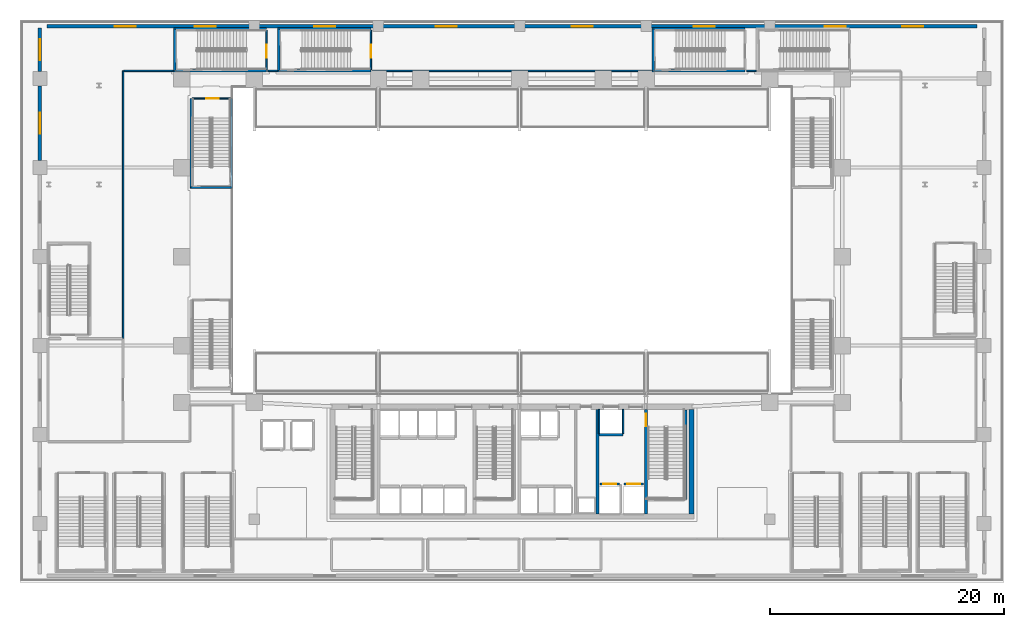
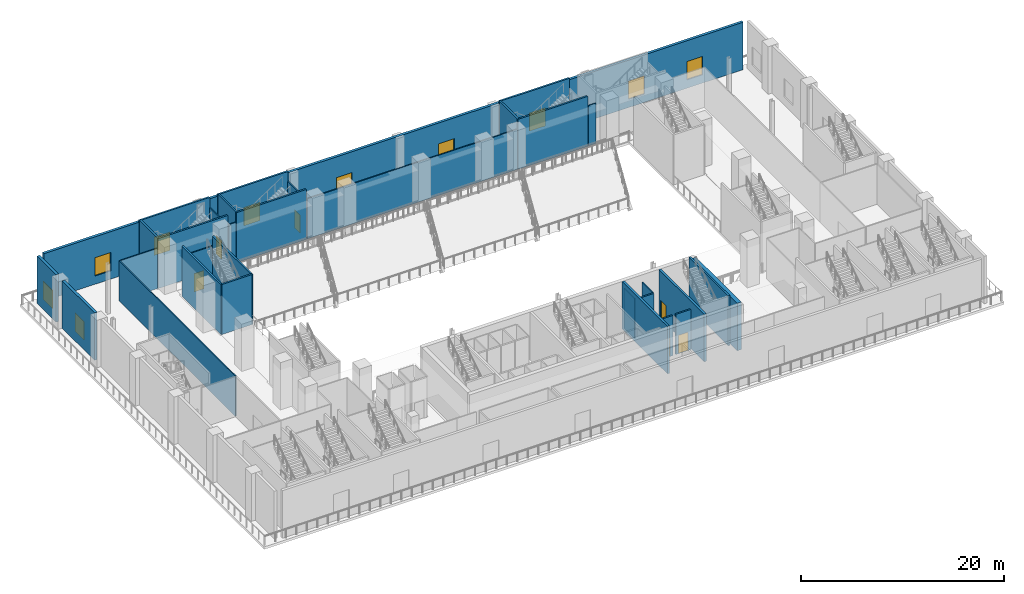
# One storey, part 10 of 30: 32 walls, 10 windows, 6 doors, 16 openings.
"""IFC4 building model written with IfcOpenShell, lengths in metres."""

import ifcopenshell
import ifcopenshell.guid

model = None  # the IFC model being written
_history = None  # IfcOwnerHistory: only IFC2X3 demands one
_inside = {}  # id of a spatial element -> (the spatial element, [elements in it])
_under = {}  # id of a project, library or spatial element -> (it, [spatial elements below it])
_declared = {}  # id of a project -> (the project, [libraries it declares])
_typed = {}  # id of a type object -> (the type object, [elements of that type])
_made_of = {}  # id of a material, layer set ... -> (it, [elements and type objects made of it])


def new_model(schema):
    """Start an empty IFC model of exactly this schema.

    Asked for "IFC4X3", IfcOpenShell would pick the latest addendum, in which some entities
    have other attributes; the version numbers below select the first issue.
    IFC2X3 requires an IfcOwnerHistory on every rooted entity: one is made here for all.
    """
    global model, _history
    if schema == "IFC4X3":
        model = ifcopenshell.file(schema_version=(4, 3, 0, 0))
    else:
        model = ifcopenshell.file(schema=schema)
    _inside.clear()
    _under.clear()
    _declared.clear()
    _typed.clear()
    _made_of.clear()
    _history = None
    if model.schema == "IFC2X3":
        org = make("IfcOrganization", Name="unknown")
        user = make(
            "IfcPersonAndOrganization",
            ThePerson=make("IfcPerson", FamilyName="unknown"),
            TheOrganization=org,
        )
        app = make(
            "IfcApplication",
            ApplicationDeveloper=org,
            Version="unknown",
            ApplicationFullName="unknown",
            ApplicationIdentifier="unknown",
        )
        _history = make(
            "IfcOwnerHistory",
            OwningUser=user,
            OwningApplication=app,
            ChangeAction="ADDED",
            CreationDate=0,
        )
    return model


def make(cls, **values):
    """One entity of the class cls with the attributes given. An attribute that is None is left unset."""
    return model.create_entity(
        cls, **{name: value for name, value in values.items() if value is not None}
    )


def rooted(cls, **values):
    """An entity with a GlobalId (a new one), such as an element, a storey or a relation."""
    return make(cls, GlobalId=ifcopenshell.guid.new(), OwnerHistory=_history, **values)


def si_unit(unit_type, name, prefix=None):
    """IfcSIUnit, for example si_unit("LENGTHUNIT", "METRE", prefix="MILLI")."""
    return make("IfcSIUnit", UnitType=unit_type, Prefix=prefix, Name=name)


def assignment(units):
    """IfcUnitAssignment: the units of a project."""
    return None if units is None else make("IfcUnitAssignment", Units=units)


def point(xyz):
    """IfcCartesianPoint."""
    return None if xyz is None else make("IfcCartesianPoint", Coordinates=xyz)


def direction(xyz):
    """IfcDirection."""
    return None if xyz is None else make("IfcDirection", DirectionRatios=xyz)


def frame(location, z_axis=None, x_axis=None):
    """IfcAxis2Placement3D, a coordinate frame: its origin and axes. An axis left out is left unset."""
    return make(
        "IfcAxis2Placement3D",
        Location=point(location),
        Axis=direction(z_axis),
        RefDirection=direction(x_axis),
    )


def frame_2d(location, x_axis=None):
    """IfcAxis2Placement2D, a coordinate frame in the plane: its origin and x axis."""
    return make(
        "IfcAxis2Placement2D", Location=point(location), RefDirection=direction(x_axis)
    )


def origin():
    """The frame at (0, 0, 0) with its axes left unset."""
    return frame((0.0, 0.0, 0.0))


def place(relative_to, where):
    """IfcLocalPlacement: puts the frame where relative to a parent placement (None: the world)."""
    return make(
        "IfcLocalPlacement", PlacementRelTo=relative_to, RelativePlacement=where
    )


def context(
    kind, dimensions, precision=None, world=None, true_north=None, identifier=None
):
    """IfcGeometricRepresentationContext, for example the 3D "Model" context."""
    return make(
        "IfcGeometricRepresentationContext",
        ContextIdentifier=identifier,
        ContextType=kind,
        CoordinateSpaceDimension=dimensions,
        Precision=precision,
        WorldCoordinateSystem=world,
        TrueNorth=true_north,
    )


def subcontext(parent, identifier, kind, view, scale=None):
    """IfcGeometricRepresentationSubContext, for example "Body" below "Model"."""
    return make(
        "IfcGeometricRepresentationSubContext",
        ContextIdentifier=identifier,
        ContextType=kind,
        ParentContext=parent,
        TargetScale=scale,
        TargetView=view,
    )


def project(units=None, contexts=None):
    """IfcProject with its units and contexts."""
    return rooted(
        "IfcProject",
        Name="project",
        RepresentationContexts=contexts,
        UnitsInContext=assignment(units),
    )


def spatial(cls, under=None, at=None, **own):
    """A site, building, storey or space (cls), placed at a placement, below another one or the project."""
    s = rooted(cls, ObjectPlacement=at, **own)
    if under is not None:
        _under.setdefault(under.id(), (under, []))[1].append(s)
    return s


def profile(cls, at=None, kind="AREA", **sizes):
    """A parametric profile (cls). Its sizes go by their IFC names, for example OverallWidth=200.0."""
    return make(cls, ProfileType=kind, Position=at, **sizes)


def rectangle(**sizes):
    """IfcRectangleProfileDef."""
    return profile("IfcRectangleProfileDef", **sizes)


def extrude(swept, where, along, depth):
    """IfcExtrudedAreaSolid: the profile swept, set in the frame where, extruded along a direction by depth."""
    return make(
        "IfcExtrudedAreaSolid",
        SweptArea=swept,
        Position=where,
        ExtrudedDirection=direction(along),
        Depth=depth,
    )


def shape(context_of_items, identifier, shape_type, items):
    """IfcShapeRepresentation: the items that make up one representation, for example the "Body"."""
    return make(
        "IfcShapeRepresentation",
        ContextOfItems=context_of_items,
        RepresentationIdentifier=identifier,
        RepresentationType=shape_type,
        Items=items,
    )


def material(Name=None, Category=None):
    """IfcMaterial."""
    return make("IfcMaterial", Name=Name, Category=Category)


def layer(
    of_material, thickness, ventilated=None, Name=None, Category=None, Priority=None
):
    """IfcMaterialLayer: one layer of a wall or slab, of a material (None: an air gap)."""
    return make(
        "IfcMaterialLayer",
        Material=of_material,
        LayerThickness=thickness,
        IsVentilated=ventilated,
        Name=Name,
        Category=Category,
        Priority=Priority,
    )


def layer_set(layers, Name=None):
    """IfcMaterialLayerSet."""
    return make("IfcMaterialLayerSet", MaterialLayers=layers, LayerSetName=Name)


def made_of(thing, what):
    """Note that an element or type object is made of a material, layer set ...; save() writes the relation."""
    if what is not None:
        _made_of.setdefault(what.id(), (what, []))[1].append(thing)
    return thing


def type_object(cls, material=None, **own):
    """A type object (cls), such as IfcWallType, which elements share."""
    return made_of(rooted(cls, **own), material)


def element(
    cls,
    number,
    at=None,
    inside=None,
    cuts=None,
    type_object=None,
    material=None,
    context=None,
    identifier="Body",
    shape_type=None,
    held_by="IfcProductDefinitionShape",
    body=None,
    shapes=None,
    **own,
):
    """One element of the class cls, such as IfcWall. Its Tag is "e" and its number.

    at: its placement. inside: the storey or other place that contains it. cuts: it is an
    opening in that element (IfcRelVoidsElement). A single representation is given by context,
    identifier, shape_type and body (its items); several are given by shapes. held_by: the class
    of the entity that holds the representations. save() writes the other relations.
    """
    e = rooted(cls, Tag="e%d" % number, ObjectPlacement=at, **own)
    if body is not None:
        shapes = [shape(context, identifier, shape_type, body)]
    if shapes is not None:
        e.Representation = make(held_by, Representations=shapes)
    if inside is not None:
        _inside.setdefault(inside.id(), (inside, []))[1].append(e)
    if cuts is not None:
        rooted(
            "IfcRelVoidsElement", RelatingBuildingElement=cuts, RelatedOpeningElement=e
        )
    if type_object is not None:
        _typed.setdefault(type_object.id(), (type_object, []))[1].append(e)
    return made_of(e, material)


def fill(opening, filler):
    """IfcRelFillsElement: the door or window that sits in an opening."""
    return rooted(
        "IfcRelFillsElement",
        RelatingOpeningElement=opening,
        RelatedBuildingElement=filler,
    )


def aggregate(whole, parts):
    """IfcRelAggregates: a whole, such as a stair, and the parts it consists of."""
    return rooted("IfcRelAggregates", RelatingObject=whole, RelatedObjects=parts)


def save(model, path):
    """Write the relations noted so far, then the file.

    IfcRelAggregates (storeys below a building ...), IfcRelContainedInSpatialStructure (elements
    in a storey), IfcRelDefinesByType, IfcRelAssociatesMaterial and IfcRelDeclares: one each for
    every whole, place, type object, material and project.
    """
    for whole, parts in _under.values():
        aggregate(whole, parts)
    for where, things in _inside.values():
        rooted(
            "IfcRelContainedInSpatialStructure",
            RelatedElements=things,
            RelatingStructure=where,
        )
    for kind, things in _typed.values():
        rooted("IfcRelDefinesByType", RelatedObjects=things, RelatingType=kind)
    for what, things in _made_of.values():
        rooted("IfcRelAssociatesMaterial", RelatedObjects=things, RelatingMaterial=what)
    for by, libraries in _declared.values():
        rooted("IfcRelDeclares", RelatingContext=by, RelatedDefinitions=libraries)
    model.write(path)


model = new_model("IFC4")

# Units and contexts
model_context = context("Model", 3, precision=1e-05, world=origin(), true_north=direction((0.0, 1.0)))
body_context = subcontext(model_context, "Body", "Model", "MODEL_VIEW")
ifc_project = project(units=[si_unit("LENGTHUNIT", "METRE"), si_unit("AREAUNIT", "SQUARE_METRE"), si_unit("VOLUMEUNIT", "CUBIC_METRE"), si_unit("PLANEANGLEUNIT", "RADIAN"), si_unit("MASSUNIT", "GRAM", prefix="KILO")], contexts=[model_context])

# Site, building, storey
site_placement = place(None, origin())
site = spatial("IfcSite", under=ifc_project, at=site_placement, CompositionType="ELEMENT")
building_placement = place(site_placement, origin())
building = spatial("IfcBuilding", under=site, at=building_placement, Name="Ndaravel Arena Tower", CompositionType="ELEMENT")
storey_placement = place(building_placement, frame((0.0, 0.0, 6.0)))
storey = spatial("IfcBuildingStorey", under=building, at=storey_placement, Name="L01", CompositionType="ELEMENT", Elevation=6.0)

# Wall
ifc_material_1 = material(Name="Concrete C60/75", Category="concrete")
ifc_layer_1 = layer(ifc_material_1, 0.25)
ifc_layer_set_1 = layer_set([ifc_layer_1], Name="Concrete C60/75")
wall_type_1 = type_object("IfcWallType", Name="WALL-CORE-250", PredefinedType="SOLIDWALL", material=ifc_layer_set_1)
wall_1_placement = place(storey_placement, frame((49.300048828125, 5.85009765625, 0.0), z_axis=(0.0, 0.0, 1.0), x_axis=(0.0, 1.0, 0.0)))
element("IfcWall", 1, at=wall_1_placement, inside=storey, type_object=wall_type_1, Name="L01 Core Web Shear Wall 4", PredefinedType="SOLIDWALL", context=body_context, shape_type="SweptSolid", body=[
    extrude(rectangle(XDim=8.89990234375, YDim=0.25, at=frame_2d((4.449951171875, 0.0))), origin(), (0.0, 0.0, 1.0), 5.699951171875),
])

# Wall, opening, door
wall_2_placement = place(storey_placement, frame((53.449951171875, 5.85009765625, 0.0), z_axis=(0.0, 0.0, 1.0), x_axis=(0.0, 1.0, 0.0)))
wall_2 = element("IfcWall", 2, at=wall_2_placement, inside=storey, type_object=wall_type_1, Name="L01 Core Web Shear Wall 5", PredefinedType="SOLIDWALL", context=body_context, shape_type="SweptSolid", body=[
    extrude(rectangle(XDim=8.89990234375, YDim=0.25, at=frame_2d((4.449951171875, 0.0))), origin(), (0.0, 0.0, 1.0), 5.699951171875),
])
opening_1_placement = place(wall_2_placement, frame((7.449951171875, 0.0, 0.0)))
opening_1 = element("IfcOpeningElement", 3, at=opening_1_placement, cuts=wall_2, Name="Opening FD-01", PredefinedType="OPENING", context=body_context, shape_type="SweptSolid", body=[
    extrude(rectangle(XDim=1.10009765625, YDim=2.199951171875, at=frame_2d((0.550048828125, 1.10009765625))), frame((0.0, 0.125, 0.0), z_axis=(0.0, -1.0, 0.0), x_axis=(1.0, 0.0, 0.0)), (0.0, 0.0, 1.0), 0.25),
])
ifc_material_2 = material(Name="Steel S355", Category="steel")
door_type_1 = type_object("IfcDoorType", Name="DT-01-STAIR-1100", OperationType="SINGLE_SWING_LEFT", PredefinedType="DOOR", material=ifc_material_2)
door_1_placement = place(opening_1_placement, origin())
door_1 = element("IfcDoor", 4, at=door_1_placement, inside=storey, type_object=door_type_1, Name="L01 Firefighting Lobby to ST-3 Door", OperationType="SINGLE_SWING_LEFT", OverallHeight=2.199951171875, OverallWidth=1.10009765625, PredefinedType="DOOR", context=body_context, shape_type="SweptSolid", body=[
    extrude(rectangle(XDim=1.10009765625, YDim=2.199951171875, at=frame_2d((0.550048828125, 1.10009765625))), frame((0.0, 0.02490234375, 0.0), z_axis=(0.0, -1.0, 0.0), x_axis=(1.0, 0.0, 0.0)), (0.0, 0.0, 1.0), 0.050048828125),
])
fill(opening_1, door_1)

# Walls
ifc_material_3 = material(Name="Concrete C60/75", Category="concrete")
ifc_layer_2 = layer(ifc_material_3, 0.449951171875)
ifc_layer_set_2 = layer_set([ifc_layer_2], Name="Concrete C60/75")
wall_type_2 = type_object("IfcWallType", Name="WALL-CORE-450", PredefinedType="SOLIDWALL", material=ifc_layer_set_2)
wall_3_placement = place(storey_placement, frame((57.324951171875, 5.85009765625, 0.0), z_axis=(0.0, 0.0, 1.0), x_axis=(0.0, 1.0, 0.0)))
element("IfcWall", 5, at=wall_3_placement, inside=storey, type_object=wall_type_2, Name="L01 Core East Shear Wall", PredefinedType="SOLIDWALL", context=body_context, shape_type="SweptSolid", body=[
    extrude(rectangle(XDim=8.89990234375, YDim=0.449951171875, at=frame_2d((4.449951171875, 0.0))), origin(), (0.0, 0.0, 1.0), 5.699951171875),
])
ifc_material_4 = material(Name="Gypsum", Category="gypsum")
ifc_layer_3 = layer(ifc_material_4, 0.125)
ifc_layer_set_3 = layer_set([ifc_layer_3], Name="Gypsum")
wall_type_3 = type_object("IfcWallType", Name="WALL-PART-125", PredefinedType="PARTITIONING", material=ifc_layer_set_3)
wall_4_placement = place(storey_placement, frame((8.800048828125, 20.800048828125, 0.0), z_axis=(0.0, 0.0, 1.0), x_axis=(0.0, 1.0, 0.0)))
element("IfcWall", 6, at=wall_4_placement, inside=storey, type_object=wall_type_3, Name="L01 Interior Partition 013", PredefinedType="PARTITIONING", context=body_context, shape_type="SweptSolid", body=[
    extrude(rectangle(XDim=22.849853515625, YDim=0.125, at=frame_2d((11.4248046875, 0.0))), origin(), (0.0, 0.0, 1.0), 4.819091796875),
])
wall_5_placement = place(storey_placement, frame((8.864990234375, 43.64990234375, 0.0), z_axis=(0.0, 0.0, 1.0), x_axis=(1.0, 0.0, 0.0)))
element("IfcWall", 7, at=wall_5_placement, inside=storey, type_object=wall_type_3, Name="L01 Interior Partition 014", PredefinedType="PARTITIONING", context=body_context, shape_type="SweptSolid", body=[
    extrude(rectangle(XDim=4.215087890625, YDim=0.125, at=frame_2d((2.107421875, 0.0))), origin(), (0.0, 0.0, 1.0), 4.819091796875),
])
wall_6_placement = place(storey_placement, frame((21.169921875, 43.64990234375, 0.0), z_axis=(0.0, 0.0, 1.0), x_axis=(1.0, 0.0, 0.0)))
element("IfcWall", 8, at=wall_6_placement, inside=storey, type_object=wall_type_3, Name="L01 Interior Partition 015", PredefinedType="PARTITIONING", context=body_context, shape_type="SweptSolid", body=[
    extrude(rectangle(XDim=0.81005859375, YDim=0.125, at=frame_2d((0.405029296875, 0.0))), origin(), (0.0, 0.0, 1.0), 4.819091796875),
])
wall_7_placement = place(storey_placement, frame((30.070068359375, 43.64990234375, 0.0), z_axis=(0.0, 0.0, 1.0), x_axis=(1.0, 0.0, 0.0)))
element("IfcWall", 9, at=wall_7_placement, inside=storey, type_object=wall_type_3, Name="L01 Interior Partition 016", PredefinedType="PARTITIONING", context=body_context, shape_type="SweptSolid", body=[
    extrude(rectangle(XDim=23.85986328125, YDim=0.125, at=frame_2d((11.929931640625, 0.0))), origin(), (0.0, 0.0, 1.0), 4.819091796875),
])
wall_8_placement = place(storey_placement, frame((62.02001953125, 43.64990234375, 0.0), z_axis=(0.0, 0.0, 1.0), x_axis=(1.0, 0.0, 0.0)))
element("IfcWall", 10, at=wall_8_placement, inside=storey, type_object=wall_type_3, Name="L01 Interior Partition 017", PredefinedType="PARTITIONING", context=body_context, shape_type="SweptSolid", body=[
    extrude(rectangle(XDim=0.81005859375, YDim=0.125, at=frame_2d((0.405029296875, 0.0))), origin(), (0.0, 0.0, 1.0), 4.819091796875),
])

# Wall, openings, windows
ifc_material_5 = material(Name="Masonry", Category="masonry")
ifc_layer_4 = layer(ifc_material_5, 0.300048828125)
ifc_layer_set_4 = layer_set([ifc_layer_4], Name="Masonry")
wall_type_4 = type_object("IfcWallType", Name="WALL-POD-MAZERAS-300", PredefinedType="SOLIDWALL", material=ifc_layer_set_4)
wall_9_placement = place(storey_placement, frame((2.300048828125, 47.449951171875, 0.0), z_axis=(0.0, 0.0, 1.0), x_axis=(1.0, 0.0, 0.0)))
wall_9 = element("IfcWall", 11, at=wall_9_placement, inside=storey, type_object=wall_type_4, Name="L01 North Mazeras Facade Wall", PredefinedType="SOLIDWALL", context=body_context, shape_type="SweptSolid", body=[
    extrude(rectangle(XDim=79.39990234375, YDim=0.300048828125, at=frame_2d((39.699951171875, 0.0))), origin(), (0.0, 0.0, 1.0), 5.699951171875),
])
opening_2_placement = place(wall_9_placement, frame((5.800048828125, 0.0, 1.0)))
opening_2 = element("IfcOpeningElement", 12, at=opening_2_placement, cuts=wall_9, Name="Opening W-PD2", PredefinedType="OPENING", context=body_context, shape_type="SweptSolid", body=[
    extrude(rectangle(XDim=1.800048828125, YDim=2.199951171875, at=frame_2d((0.89990234375, 1.10009765625))), frame((0.0, 0.14990234375, 0.0), z_axis=(0.0, -1.0, 0.0), x_axis=(1.0, 0.0, 0.0)), (0.0, 0.0, 1.0), 0.300048828125),
])
opening_3_placement = place(wall_9_placement, frame((12.60009765625, 0.0, 1.0)))
opening_3 = element("IfcOpeningElement", 13, at=opening_3_placement, cuts=wall_9, Name="Opening W-PD2", PredefinedType="OPENING", context=body_context, shape_type="SweptSolid", body=[
    extrude(rectangle(XDim=1.800048828125, YDim=2.199951171875, at=frame_2d((0.89990234375, 1.10009765625))), frame((0.0, 0.14990234375, 0.0), z_axis=(0.0, -1.0, 0.0), x_axis=(1.0, 0.0, 0.0)), (0.0, 0.0, 1.0), 0.300048828125),
])
opening_4_placement = place(wall_9_placement, frame((22.800048828125, 0.0, 1.0)))
opening_4 = element("IfcOpeningElement", 14, at=opening_4_placement, cuts=wall_9, Name="Opening W-PD2", PredefinedType="OPENING", context=body_context, shape_type="SweptSolid", body=[
    extrude(rectangle(XDim=1.800048828125, YDim=2.199951171875, at=frame_2d((0.89990234375, 1.10009765625))), frame((0.0, 0.14990234375, 0.0), z_axis=(0.0, -1.0, 0.0), x_axis=(1.0, 0.0, 0.0)), (0.0, 0.0, 1.0), 0.300048828125),
])
opening_5_placement = place(wall_9_placement, frame((33.199951171875, 0.0, 1.0)))
opening_5 = element("IfcOpeningElement", 15, at=opening_5_placement, cuts=wall_9, Name="Opening W-PD2", PredefinedType="OPENING", context=body_context, shape_type="SweptSolid", body=[
    extrude(rectangle(XDim=1.800048828125, YDim=2.199951171875, at=frame_2d((0.89990234375, 1.10009765625))), frame((0.0, 0.14990234375, 0.0), z_axis=(0.0, -1.0, 0.0), x_axis=(1.0, 0.0, 0.0)), (0.0, 0.0, 1.0), 0.300048828125),
])
opening_6_placement = place(wall_9_placement, frame((44.800048828125, 0.0, 1.0)))
opening_6 = element("IfcOpeningElement", 16, at=opening_6_placement, cuts=wall_9, Name="Opening W-PD2", PredefinedType="OPENING", context=body_context, shape_type="SweptSolid", body=[
    extrude(rectangle(XDim=1.800048828125, YDim=2.199951171875, at=frame_2d((0.89990234375, 1.10009765625))), frame((0.0, 0.14990234375, 0.0), z_axis=(0.0, -1.0, 0.0), x_axis=(1.0, 0.0, 0.0)), (0.0, 0.0, 1.0), 0.300048828125),
])
opening_7_placement = place(wall_9_placement, frame((55.199951171875, 0.0, 1.0)))
opening_7 = element("IfcOpeningElement", 17, at=opening_7_placement, cuts=wall_9, Name="Opening W-PD2", PredefinedType="OPENING", context=body_context, shape_type="SweptSolid", body=[
    extrude(rectangle(XDim=1.800048828125, YDim=2.199951171875, at=frame_2d((0.89990234375, 1.10009765625))), frame((0.0, 0.14990234375, 0.0), z_axis=(0.0, -1.0, 0.0), x_axis=(1.0, 0.0, 0.0)), (0.0, 0.0, 1.0), 0.300048828125),
])
opening_8_placement = place(wall_9_placement, frame((66.39990234375, 0.0, 1.0)))
opening_8 = element("IfcOpeningElement", 18, at=opening_8_placement, cuts=wall_9, Name="Opening W-PD2", PredefinedType="OPENING", context=body_context, shape_type="SweptSolid", body=[
    extrude(rectangle(XDim=1.800048828125, YDim=2.199951171875, at=frame_2d((0.89990234375, 1.10009765625))), frame((0.0, 0.14990234375, 0.0), z_axis=(0.0, -1.0, 0.0), x_axis=(1.0, 0.0, 0.0)), (0.0, 0.0, 1.0), 0.300048828125),
])
opening_9_placement = place(wall_9_placement, frame((73.0, 0.0, 1.0)))
opening_9 = element("IfcOpeningElement", 19, at=opening_9_placement, cuts=wall_9, Name="Opening W-PD2", PredefinedType="OPENING", context=body_context, shape_type="SweptSolid", body=[
    extrude(rectangle(XDim=1.800048828125, YDim=2.199951171875, at=frame_2d((0.89990234375, 1.10009765625))), frame((0.0, 0.14990234375, 0.0), z_axis=(0.0, -1.0, 0.0), x_axis=(1.0, 0.0, 0.0)), (0.0, 0.0, 1.0), 0.300048828125),
])
ifc_material_6 = material(Name="Glazing", Category="glass")
window_type = type_object("IfcWindowType", Name="WIN-POD-1800", PartitioningType="SINGLE_PANEL", PredefinedType="WINDOW", material=ifc_material_6)
window_1_placement = place(opening_2_placement, origin())
window_1 = element("IfcWindow", 20, at=window_1_placement, inside=storey, type_object=window_type, Name="L01 North Ribbon Window 01", OverallHeight=2.199951171875, OverallWidth=1.800048828125, PartitioningType="SINGLE_PANEL", PredefinedType="WINDOW", context=body_context, shape_type="SweptSolid", body=[
    extrude(rectangle(XDim=1.800048828125, YDim=2.199951171875, at=frame_2d((0.89990234375, 1.10009765625))), frame((0.0, 0.030029296875, 0.0), z_axis=(0.0, -1.0, 0.0), x_axis=(1.0, 0.0, 0.0)), (0.0, 0.0, 1.0), 0.06005859375),
])
fill(opening_2, window_1)
window_2_placement = place(opening_3_placement, origin())
window_2 = element("IfcWindow", 21, at=window_2_placement, inside=storey, type_object=window_type, Name="L01 North Ribbon Window 02", OverallHeight=2.199951171875, OverallWidth=1.800048828125, PartitioningType="SINGLE_PANEL", PredefinedType="WINDOW", context=body_context, shape_type="SweptSolid", body=[
    extrude(rectangle(XDim=1.800048828125, YDim=2.199951171875, at=frame_2d((0.89990234375, 1.10009765625))), frame((0.0, 0.030029296875, 0.0), z_axis=(0.0, -1.0, 0.0), x_axis=(1.0, 0.0, 0.0)), (0.0, 0.0, 1.0), 0.06005859375),
])
fill(opening_3, window_2)
window_3_placement = place(opening_4_placement, origin())
window_3 = element("IfcWindow", 22, at=window_3_placement, inside=storey, type_object=window_type, Name="L01 North Ribbon Window 03", OverallHeight=2.199951171875, OverallWidth=1.800048828125, PartitioningType="SINGLE_PANEL", PredefinedType="WINDOW", context=body_context, shape_type="SweptSolid", body=[
    extrude(rectangle(XDim=1.800048828125, YDim=2.199951171875, at=frame_2d((0.89990234375, 1.10009765625))), frame((0.0, 0.030029296875, 0.0), z_axis=(0.0, -1.0, 0.0), x_axis=(1.0, 0.0, 0.0)), (0.0, 0.0, 1.0), 0.06005859375),
])
fill(opening_4, window_3)
window_4_placement = place(opening_5_placement, origin())
window_4 = element("IfcWindow", 23, at=window_4_placement, inside=storey, type_object=window_type, Name="L01 North Ribbon Window 04", OverallHeight=2.199951171875, OverallWidth=1.800048828125, PartitioningType="SINGLE_PANEL", PredefinedType="WINDOW", context=body_context, shape_type="SweptSolid", body=[
    extrude(rectangle(XDim=1.800048828125, YDim=2.199951171875, at=frame_2d((0.89990234375, 1.10009765625))), frame((0.0, 0.030029296875, 0.0), z_axis=(0.0, -1.0, 0.0), x_axis=(1.0, 0.0, 0.0)), (0.0, 0.0, 1.0), 0.06005859375),
])
fill(opening_5, window_4)
window_5_placement = place(opening_6_placement, origin())
window_5 = element("IfcWindow", 24, at=window_5_placement, inside=storey, type_object=window_type, Name="L01 North Ribbon Window 05", OverallHeight=2.199951171875, OverallWidth=1.800048828125, PartitioningType="SINGLE_PANEL", PredefinedType="WINDOW", context=body_context, shape_type="SweptSolid", body=[
    extrude(rectangle(XDim=1.800048828125, YDim=2.199951171875, at=frame_2d((0.89990234375, 1.10009765625))), frame((0.0, 0.030029296875, 0.0), z_axis=(0.0, -1.0, 0.0), x_axis=(1.0, 0.0, 0.0)), (0.0, 0.0, 1.0), 0.06005859375),
])
fill(opening_6, window_5)
window_6_placement = place(opening_7_placement, origin())
window_6 = element("IfcWindow", 25, at=window_6_placement, inside=storey, type_object=window_type, Name="L01 North Ribbon Window 06", OverallHeight=2.199951171875, OverallWidth=1.800048828125, PartitioningType="SINGLE_PANEL", PredefinedType="WINDOW", context=body_context, shape_type="SweptSolid", body=[
    extrude(rectangle(XDim=1.800048828125, YDim=2.199951171875, at=frame_2d((0.89990234375, 1.10009765625))), frame((0.0, 0.030029296875, 0.0), z_axis=(0.0, -1.0, 0.0), x_axis=(1.0, 0.0, 0.0)), (0.0, 0.0, 1.0), 0.06005859375),
])
fill(opening_7, window_6)
window_7_placement = place(opening_8_placement, origin())
window_7 = element("IfcWindow", 26, at=window_7_placement, inside=storey, type_object=window_type, Name="L01 North Ribbon Window 07", OverallHeight=2.199951171875, OverallWidth=1.800048828125, PartitioningType="SINGLE_PANEL", PredefinedType="WINDOW", context=body_context, shape_type="SweptSolid", body=[
    extrude(rectangle(XDim=1.800048828125, YDim=2.199951171875, at=frame_2d((0.89990234375, 1.10009765625))), frame((0.0, 0.030029296875, 0.0), z_axis=(0.0, -1.0, 0.0), x_axis=(1.0, 0.0, 0.0)), (0.0, 0.0, 1.0), 0.06005859375),
])
fill(opening_8, window_7)
window_8_placement = place(opening_9_placement, origin())
window_8 = element("IfcWindow", 27, at=window_8_placement, inside=storey, type_object=window_type, Name="L01 North Ribbon Window 08", OverallHeight=2.199951171875, OverallWidth=1.800048828125, PartitioningType="SINGLE_PANEL", PredefinedType="WINDOW", context=body_context, shape_type="SweptSolid", body=[
    extrude(rectangle(XDim=1.800048828125, YDim=2.199951171875, at=frame_2d((0.89990234375, 1.10009765625))), frame((0.0, 0.030029296875, 0.0), z_axis=(0.0, -1.0, 0.0), x_axis=(1.0, 0.0, 0.0)), (0.0, 0.0, 1.0), 0.06005859375),
])
fill(opening_9, window_8)

# Wall, opening, window
wall_10_placement = place(storey_placement, frame((1.699951171875, 36.02001953125, 0.0), z_axis=(0.0, 0.0, 1.0), x_axis=(0.0, 1.0, 0.0)))
wall_10 = element("IfcWall", 28, at=wall_10_placement, inside=storey, type_object=wall_type_4, Name="L01 West Mazeras Bay 6", PredefinedType="SOLIDWALL", context=body_context, shape_type="SweptSolid", body=[
    extrude(rectangle(XDim=6.35986328125, YDim=0.300048828125, at=frame_2d((3.179931640625, 0.0))), origin(), (0.0, 0.0, 1.0), 5.699951171875),
])
opening_10_placement = place(wall_10_placement, frame((2.280029296875, 0.0, 1.0)))
opening_10 = element("IfcOpeningElement", 29, at=opening_10_placement, cuts=wall_10, Name="Opening W-PD2", PredefinedType="OPENING", context=body_context, shape_type="SweptSolid", body=[
    extrude(rectangle(XDim=1.800048828125, YDim=2.199951171875, at=frame_2d((0.89990234375, 1.10009765625))), frame((0.0, 0.14990234375, 0.0), z_axis=(0.0, -1.0, 0.0), x_axis=(1.0, 0.0, 0.0)), (0.0, 0.0, 1.0), 0.300048828125),
])
window_9_placement = place(opening_10_placement, origin())
window_9 = element("IfcWindow", 30, at=window_9_placement, inside=storey, type_object=window_type, Name="L01 West Mazeras Window 6", OverallHeight=2.199951171875, OverallWidth=1.800048828125, PartitioningType="SINGLE_PANEL", PredefinedType="WINDOW", context=body_context, shape_type="SweptSolid", body=[
    extrude(rectangle(XDim=1.800048828125, YDim=2.199951171875, at=frame_2d((0.89990234375, 1.10009765625))), frame((0.0, 0.030029296875, 0.0), z_axis=(0.0, -1.0, 0.0), x_axis=(1.0, 0.0, 0.0)), (0.0, 0.0, 1.0), 0.06005859375),
])
fill(opening_10, window_9)

wall_11_placement = place(storey_placement, frame((1.699951171875, 43.60009765625, 0.0), z_axis=(0.0, 0.0, 1.0), x_axis=(0.0, 1.0, 0.0)))
wall_11 = element("IfcWall", 31, at=wall_11_placement, inside=storey, type_object=wall_type_4, Name="L01 West Mazeras Bay 7", PredefinedType="SOLIDWALL", context=body_context, shape_type="SweptSolid", body=[
    extrude(rectangle(XDim=3.699951171875, YDim=0.300048828125, at=frame_2d((1.85009765625, 0.0))), origin(), (0.0, 0.0, 1.0), 5.699951171875),
])
opening_11_placement = place(wall_11_placement, frame((0.949951171875, 0.0, 1.0)))
opening_11 = element("IfcOpeningElement", 32, at=opening_11_placement, cuts=wall_11, Name="Opening W-PD2", PredefinedType="OPENING", context=body_context, shape_type="SweptSolid", body=[
    extrude(rectangle(XDim=1.800048828125, YDim=2.199951171875, at=frame_2d((0.89990234375, 1.10009765625))), frame((0.0, 0.14990234375, 0.0), z_axis=(0.0, -1.0, 0.0), x_axis=(1.0, 0.0, 0.0)), (0.0, 0.0, 1.0), 0.300048828125),
])
window_10_placement = place(opening_11_placement, origin())
window_10 = element("IfcWindow", 33, at=window_10_placement, inside=storey, type_object=window_type, Name="L01 West Mazeras Window 7", OverallHeight=2.199951171875, OverallWidth=1.800048828125, PartitioningType="SINGLE_PANEL", PredefinedType="WINDOW", context=body_context, shape_type="SweptSolid", body=[
    extrude(rectangle(XDim=1.800048828125, YDim=2.199951171875, at=frame_2d((0.89990234375, 1.10009765625))), frame((0.0, 0.030029296875, 0.0), z_axis=(0.0, -1.0, 0.0), x_axis=(1.0, 0.0, 0.0)), (0.0, 0.0, 1.0), 0.06005859375),
])
fill(opening_11, window_10)

# Wall, opening, door
ifc_material_7 = material(Name="Concrete C40/50", Category="concrete")
ifc_layer_5 = layer(ifc_material_7, 0.1201171875)
ifc_layer_set_5 = layer_set([ifc_layer_5], Name="Concrete C40/50")
wall_type_5 = type_object("IfcWallType", Name="WALL-SHAFT-120", PredefinedType="SOLIDWALL", material=ifc_layer_set_5)
wall_12_placement = place(storey_placement, frame((21.050048828125, 47.135009765625, 0.0), z_axis=(0.0, 0.0, 1.0), x_axis=(0.0, -1.0, 0.0)))
wall_12 = element("IfcWall", 34, at=wall_12_placement, inside=storey, type_object=wall_type_5, Name="L01 ST-A08 Entry Wall", PredefinedType="SOLIDWALL", context=body_context, shape_type="SweptSolid", body=[
    extrude(rectangle(XDim=3.3701171875, YDim=0.1201171875, at=frame_2d((1.68505859375, 0.0))), origin(), (0.0, 0.0, 1.0), 4.819091796875),
])
opening_12_placement = place(wall_12_placement, frame((1.239990234375, 0.0, 0.0)))
opening_12 = element("IfcOpeningElement", 35, at=opening_12_placement, cuts=wall_12, Name="Opening FD-01", PredefinedType="OPENING", context=body_context, shape_type="SweptSolid", body=[
    extrude(rectangle(XDim=1.10009765625, YDim=2.199951171875, at=frame_2d((0.550048828125, 1.10009765625))), frame((0.0, 0.06005859375, 0.0), z_axis=(0.0, -1.0, 0.0), x_axis=(1.0, 0.0, 0.0)), (0.0, 0.0, 1.0), 0.1201171875),
])
door_2_placement = place(opening_12_placement, origin())
door_2 = element("IfcDoor", 36, at=door_2_placement, inside=storey, type_object=door_type_1, Name="L01 ST-A08 Fire Exit Stair Door", OperationType="SINGLE_SWING_RIGHT", OverallHeight=2.199951171875, OverallWidth=1.10009765625, PredefinedType="DOOR", context=body_context, shape_type="SweptSolid", body=[
    extrude(rectangle(XDim=1.10009765625, YDim=2.199951171875, at=frame_2d((0.550048828125, 1.10009765625))), frame((0.0, 0.02490234375, 0.0), z_axis=(0.0, -1.0, 0.0), x_axis=(1.0, 0.0, 0.0)), (0.0, 0.0, 1.0), 0.050048828125),
])
fill(opening_12, door_2)

wall_13_placement = place(storey_placement, frame((29.949951171875, 47.135009765625, 0.0), z_axis=(0.0, 0.0, 1.0), x_axis=(0.0, -1.0, 0.0)))
wall_13 = element("IfcWall", 37, at=wall_13_placement, inside=storey, type_object=wall_type_5, Name="L01 ST-A09 Entry Wall", PredefinedType="SOLIDWALL", context=body_context, shape_type="SweptSolid", body=[
    extrude(rectangle(XDim=3.3701171875, YDim=0.1201171875, at=frame_2d((1.68505859375, 0.0))), origin(), (0.0, 0.0, 1.0), 4.819091796875),
])
opening_13_placement = place(wall_13_placement, frame((1.239990234375, 0.0, 0.0)))
opening_13 = element("IfcOpeningElement", 38, at=opening_13_placement, cuts=wall_13, Name="Opening FD-01", PredefinedType="OPENING", context=body_context, shape_type="SweptSolid", body=[
    extrude(rectangle(XDim=1.10009765625, YDim=2.199951171875, at=frame_2d((0.550048828125, 1.10009765625))), frame((0.0, 0.06005859375, 0.0), z_axis=(0.0, -1.0, 0.0), x_axis=(1.0, 0.0, 0.0)), (0.0, 0.0, 1.0), 0.1201171875),
])
door_3_placement = place(opening_13_placement, origin())
door_3 = element("IfcDoor", 39, at=door_3_placement, inside=storey, type_object=door_type_1, Name="L01 ST-A09 Fire Exit Stair Door", OperationType="SINGLE_SWING_RIGHT", OverallHeight=2.199951171875, OverallWidth=1.10009765625, PredefinedType="DOOR", context=body_context, shape_type="SweptSolid", body=[
    extrude(rectangle(XDim=1.10009765625, YDim=2.199951171875, at=frame_2d((0.550048828125, 1.10009765625))), frame((0.0, 0.02490234375, 0.0), z_axis=(0.0, -1.0, 0.0), x_axis=(1.0, 0.0, 0.0)), (0.0, 0.0, 1.0), 0.050048828125),
])
fill(opening_13, door_3)

wall_14_placement = place(storey_placement, frame((14.705078125, 41.300048828125, 0.0), z_axis=(0.0, 0.0, 1.0), x_axis=(1.0, 0.0, 0.0)))
wall_14 = element("IfcWall", 40, at=wall_14_placement, inside=storey, type_object=wall_type_5, Name="L01 ST-VOM-2 Entry Wall", PredefinedType="SOLIDWALL", context=body_context, shape_type="SweptSolid", body=[
    extrude(rectangle(XDim=3.25, YDim=0.1201171875, at=frame_2d((1.625, 0.0))), origin(), (0.0, 0.0, 1.0), 4.819091796875),
])
opening_14_placement = place(wall_14_placement, frame((1.179931640625, 0.0, 0.0)))
opening_14 = element("IfcOpeningElement", 41, at=opening_14_placement, cuts=wall_14, Name="Opening FD-01", PredefinedType="OPENING", context=body_context, shape_type="SweptSolid", body=[
    extrude(rectangle(XDim=1.10009765625, YDim=2.199951171875, at=frame_2d((0.550048828125, 1.10009765625))), frame((0.0, 0.06005859375, 0.0), z_axis=(0.0, -1.0, 0.0), x_axis=(1.0, 0.0, 0.0)), (0.0, 0.0, 1.0), 0.1201171875),
])
door_4_placement = place(opening_14_placement, origin())
door_4 = element("IfcDoor", 42, at=door_4_placement, inside=storey, type_object=door_type_1, Name="L01 ST-VOM-2 Fire Exit Stair Door", OperationType="SINGLE_SWING_RIGHT", OverallHeight=2.199951171875, OverallWidth=1.10009765625, PredefinedType="DOOR", context=body_context, shape_type="SweptSolid", body=[
    extrude(rectangle(XDim=1.10009765625, YDim=2.199951171875, at=frame_2d((0.550048828125, 1.10009765625))), frame((0.0, 0.02490234375, 0.0), z_axis=(0.0, -1.0, 0.0), x_axis=(1.0, 0.0, 0.0)), (0.0, 0.0, 1.0), 0.050048828125),
])
fill(opening_14, door_4)

# Walls
for number, where, z_axis, x_axis, name in (
    (43, (49.43994140625, 12.68994140625, 0.0), (0.0, 0.0, 1.0), (0.0, 1.0, 0.0), "L01 SVL-1 Shaft W Wall"),
    (44, (51.47998046875, 12.68994140625, 0.0), (0.0, 0.0, 1.0), (0.0, 1.0, 0.0), "L01 SVL-1 Shaft E Wall"),
):
    element("IfcWall", number, at=place(storey_placement, frame(where, z_axis=z_axis, x_axis=x_axis)), inside=storey, type_object=wall_type_5, Name=name, PredefinedType="SOLIDWALL", context=body_context, shape_type="SweptSolid", body=[
        extrude(rectangle(XDim=2.070068359375, YDim=0.1201171875, at=frame_2d((1.03515625, 0.0))), origin(), (0.0, 0.0, 1.0), 4.819091796875),
    ])
ifc_material_8 = material(Name="Concrete C40/50", Category="concrete")
ifc_layer_6 = layer(ifc_material_8, 0.199951171875)
ifc_layer_set_6 = layer_set([ifc_layer_6], Name="Concrete C40/50")
wall_type_6 = type_object("IfcWallType", Name="WALL-SHAFT-200", PredefinedType="SOLIDWALL", material=ifc_layer_set_6)
wall_15_placement = place(storey_placement, frame((56.840087890625, 14.699951171875, 0.0), z_axis=(0.0, 0.0, 1.0), x_axis=(0.0, -1.0, 0.0)))
element("IfcWall", 45, at=wall_15_placement, inside=storey, type_object=wall_type_6, Name="L01 ST-3 Structural Shaft Wall Right", PredefinedType="SOLIDWALL", context=body_context, shape_type="SweptSolid", body=[
    extrude(rectangle(XDim=7.64990234375, YDim=0.199951171875, at=frame_2d((3.824951171875, 0.0))), origin(), (0.0, 0.0, 1.0), 6.0),
])
for number, where, z_axis, x_axis, name in (
    (46, (21.050048828125, 47.239990234375, 0.0), (0.0, 0.0, 1.0), (-1.0, 0.0, 0.0), "L01 ST-A08 Shaft Wall Left"),
    (47, (21.050048828125, 43.659912109375, 0.0), (0.0, 0.0, 1.0), (-1.0, 0.0, 0.0), "L01 ST-A08 Shaft Wall Right"),
):
    element("IfcWall", number, at=place(storey_placement, frame(where, z_axis=z_axis, x_axis=x_axis)), inside=storey, type_object=wall_type_6, Name=name, PredefinedType="SOLIDWALL", context=body_context, shape_type="SweptSolid", body=[
        extrude(rectangle(XDim=7.949951171875, YDim=0.199951171875, at=frame_2d((3.97509765625, 0.0))), origin(), (0.0, 0.0, 1.0), 6.0),
    ])
wall_16_placement = place(storey_placement, frame((13.199951171875, 47.22998046875, 0.0), z_axis=(0.0, 0.0, 1.0), x_axis=(0.0, -1.0, 0.0)))
element("IfcWall", 48, at=wall_16_placement, inside=storey, type_object=wall_type_6, Name="L01 ST-A08 Shaft Wall Far", PredefinedType="SOLIDWALL", context=body_context, shape_type="SweptSolid", body=[
    extrude(rectangle(XDim=3.56005859375, YDim=0.199951171875, at=frame_2d((1.780029296875, 0.0))), origin(), (0.0, 0.0, 1.0), 6.0),
])
for number, where, z_axis, x_axis, name in (
    (49, (29.949951171875, 47.239990234375, 0.0), (0.0, 0.0, 1.0), (-1.0, 0.0, 0.0), "L01 ST-A09 Shaft Wall Left"),
    (50, (29.949951171875, 43.659912109375, 0.0), (0.0, 0.0, 1.0), (-1.0, 0.0, 0.0), "L01 ST-A09 Shaft Wall Right"),
):
    element("IfcWall", number, at=place(storey_placement, frame(where, z_axis=z_axis, x_axis=x_axis)), inside=storey, type_object=wall_type_6, Name=name, PredefinedType="SOLIDWALL", context=body_context, shape_type="SweptSolid", body=[
        extrude(rectangle(XDim=7.949951171875, YDim=0.199951171875, at=frame_2d((3.97509765625, 0.0))), origin(), (0.0, 0.0, 1.0), 6.0),
    ])
wall_17_placement = place(storey_placement, frame((22.10009765625, 47.22998046875, 0.0), z_axis=(0.0, 0.0, 1.0), x_axis=(0.0, -1.0, 0.0)))
element("IfcWall", 51, at=wall_17_placement, inside=storey, type_object=wall_type_6, Name="L01 ST-A09 Shaft Wall Far", PredefinedType="SOLIDWALL", context=body_context, shape_type="SweptSolid", body=[
    extrude(rectangle(XDim=3.56005859375, YDim=0.199951171875, at=frame_2d((1.780029296875, 0.0))), origin(), (0.0, 0.0, 1.0), 6.0),
])
for number, where, z_axis, x_axis, name in (
    (52, (61.89990234375, 47.239990234375, 0.0), (0.0, 0.0, 1.0), (-1.0, 0.0, 0.0), "L01 ST-A10 Shaft Wall Left"),
    (53, (61.89990234375, 43.659912109375, 0.0), (0.0, 0.0, 1.0), (-1.0, 0.0, 0.0), "L01 ST-A10 Shaft Wall Right"),
):
    element("IfcWall", number, at=place(storey_placement, frame(where, z_axis=z_axis, x_axis=x_axis)), inside=storey, type_object=wall_type_6, Name=name, PredefinedType="SOLIDWALL", context=body_context, shape_type="SweptSolid", body=[
        extrude(rectangle(XDim=7.949951171875, YDim=0.199951171875, at=frame_2d((3.97509765625, 0.0))), origin(), (0.0, 0.0, 1.0), 6.0),
    ])
wall_18_placement = place(storey_placement, frame((54.050048828125, 47.22998046875, 0.0), z_axis=(0.0, 0.0, 1.0), x_axis=(0.0, -1.0, 0.0)))
element("IfcWall", 54, at=wall_18_placement, inside=storey, type_object=wall_type_6, Name="L01 ST-A10 Shaft Wall Far", PredefinedType="SOLIDWALL", context=body_context, shape_type="SweptSolid", body=[
    extrude(rectangle(XDim=3.56005859375, YDim=0.199951171875, at=frame_2d((1.780029296875, 0.0))), origin(), (0.0, 0.0, 1.0), 6.0),
])
for number, where, z_axis, x_axis, name in (
    (55, (14.60009765625, 41.300048828125, 0.0), (0.0, 0.0, 1.0), (0.0, -1.0, 0.0), "L01 ST-VOM-2 Shaft Wall Left"),
    (56, (18.06005859375, 41.300048828125, 0.0), (0.0, 0.0, 1.0), (0.0, -1.0, 0.0), "L01 ST-VOM-2 Shaft Wall Right"),
):
    element("IfcWall", number, at=place(storey_placement, frame(where, z_axis=z_axis, x_axis=x_axis)), inside=storey, type_object=wall_type_6, Name=name, PredefinedType="SOLIDWALL", context=body_context, shape_type="SweptSolid", body=[
        extrude(rectangle(XDim=7.699951171875, YDim=0.199951171875, at=frame_2d((3.85009765625, 0.0))), origin(), (0.0, 0.0, 1.0), 6.0),
    ])
wall_19_placement = place(storey_placement, frame((14.610107421875, 33.699951171875, 0.0), z_axis=(0.0, 0.0, 1.0), x_axis=(1.0, 0.0, 0.0)))
element("IfcWall", 57, at=wall_19_placement, inside=storey, type_object=wall_type_6, Name="L01 ST-VOM-2 Shaft Wall Far", PredefinedType="SOLIDWALL", context=body_context, shape_type="SweptSolid", body=[
    extrude(rectangle(XDim=3.43994140625, YDim=0.199951171875, at=frame_2d((1.719970703125, 0.0))), origin(), (0.0, 0.0, 1.0), 6.0),
])

# Wall, opening, door
wall_20_placement = place(storey_placement, frame((49.5048828125, 8.39990234375, 0.0), z_axis=(0.0, 0.0, 1.0), x_axis=(1.0, 0.0, 0.0)))
wall_20 = element("IfcWall", 58, at=wall_20_placement, inside=storey, type_object=wall_type_6, Name="L01 FFL-1 Shaft Landing Wall", PredefinedType="SOLIDWALL", context=body_context, shape_type="SweptSolid", body=[
    extrude(rectangle(XDim=1.690185546875, YDim=0.179931640625, at=frame_2d((0.84521484375, 0.0))), origin(), (0.0, 0.0, 1.0), 4.819091796875),
])
opening_15_placement = place(wall_20_placement, frame((0.294921875, 0.0, 0.0)))
opening_15 = element("IfcOpeningElement", 59, at=opening_15_placement, cuts=wall_20, Name="Opening LD-01", PredefinedType="OPENING", context=body_context, shape_type="SweptSolid", body=[
    extrude(rectangle(XDim=1.10009765625, YDim=2.199951171875, at=frame_2d((0.550048828125, 1.10009765625))), frame((0.0, 0.08984375, 0.0), z_axis=(0.0, -1.0, 0.0), x_axis=(1.0, 0.0, 0.0)), (0.0, 0.0, 1.0), 0.179931640625),
])
ifc_material_9 = material(Name="Steel S355", Category="steel")
door_type_2 = type_object("IfcDoorType", Name="DT-06-LIFT-1100", OperationType="SLIDING_TO_LEFT", PredefinedType="DOOR", material=ifc_material_9)
door_5_placement = place(opening_15_placement, origin())
door_5 = element("IfcDoor", 60, at=door_5_placement, inside=storey, type_object=door_type_2, Name="L01 Lift FFL-1 Sliding Landing Door", OperationType="SLIDING_TO_LEFT", OverallHeight=2.199951171875, OverallWidth=1.10009765625, PredefinedType="DOOR", context=body_context, shape_type="SweptSolid", body=[
    extrude(rectangle(XDim=1.10009765625, YDim=2.199951171875, at=frame_2d((0.550048828125, 1.10009765625))), frame((0.0, 0.02490234375, 0.0), z_axis=(0.0, -1.0, 0.0), x_axis=(1.0, 0.0, 0.0)), (0.0, 0.0, 1.0), 0.050048828125),
])
fill(opening_15, door_5)

wall_21_placement = place(storey_placement, frame((51.554931640625, 8.39990234375, 0.0), z_axis=(0.0, 0.0, 1.0), x_axis=(1.0, 0.0, 0.0)))
wall_21 = element("IfcWall", 61, at=wall_21_placement, inside=storey, type_object=wall_type_6, Name="L01 FFL-2 Shaft Landing Wall", PredefinedType="SOLIDWALL", context=body_context, shape_type="SweptSolid", body=[
    extrude(rectangle(XDim=1.690185546875, YDim=0.179931640625, at=frame_2d((0.84521484375, 0.0))), origin(), (0.0, 0.0, 1.0), 4.819091796875),
])
opening_16_placement = place(wall_21_placement, frame((0.294921875, 0.0, 0.0)))
opening_16 = element("IfcOpeningElement", 62, at=opening_16_placement, cuts=wall_21, Name="Opening LD-01", PredefinedType="OPENING", context=body_context, shape_type="SweptSolid", body=[
    extrude(rectangle(XDim=1.10009765625, YDim=2.199951171875, at=frame_2d((0.550048828125, 1.10009765625))), frame((0.0, 0.08984375, 0.0), z_axis=(0.0, -1.0, 0.0), x_axis=(1.0, 0.0, 0.0)), (0.0, 0.0, 1.0), 0.179931640625),
])
door_6_placement = place(opening_16_placement, origin())
door_6 = element("IfcDoor", 63, at=door_6_placement, inside=storey, type_object=door_type_2, Name="L01 Lift FFL-2 Sliding Landing Door", OperationType="SLIDING_TO_LEFT", OverallHeight=2.199951171875, OverallWidth=1.10009765625, PredefinedType="DOOR", context=body_context, shape_type="SweptSolid", body=[
    extrude(rectangle(XDim=1.10009765625, YDim=2.199951171875, at=frame_2d((0.550048828125, 1.10009765625))), frame((0.0, 0.02490234375, 0.0), z_axis=(0.0, -1.0, 0.0), x_axis=(1.0, 0.0, 0.0)), (0.0, 0.0, 1.0), 0.050048828125),
])
fill(opening_16, door_6)

# Wall
wall_22_placement = place(storey_placement, frame((49.43994140625, 12.594970703125, 0.0), z_axis=(0.0, 0.0, 1.0), x_axis=(1.0, 0.0, 0.0)))
element("IfcWall", 64, at=wall_22_placement, inside=storey, type_object=wall_type_6, Name="L01 SVL-1 Shaft South Wall", PredefinedType="SOLIDWALL", context=body_context, shape_type="SweptSolid", body=[
    extrude(rectangle(XDim=2.0400390625, YDim=0.179931640625, at=frame_2d((1.02001953125, 0.0))), origin(), (0.0, 0.0, 1.0), 4.819091796875),
])

save(model, "model.ifc")
